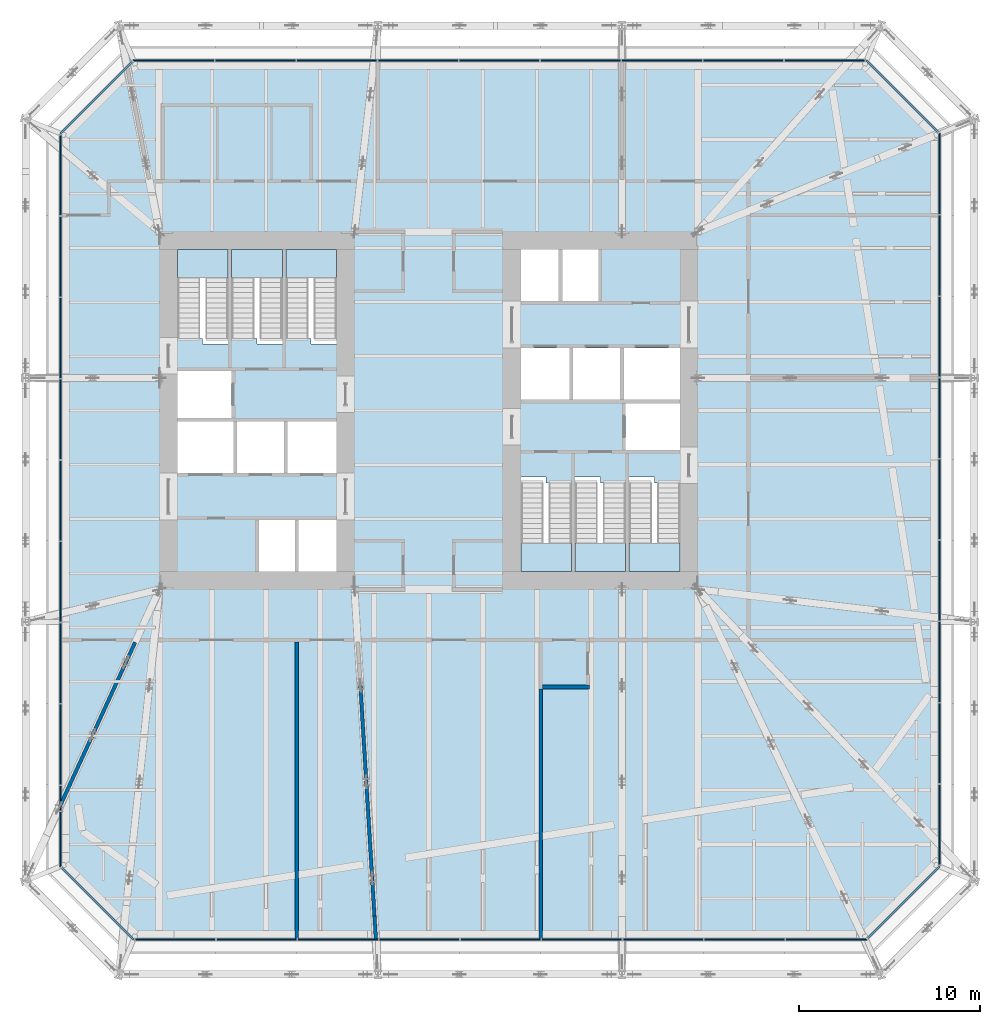
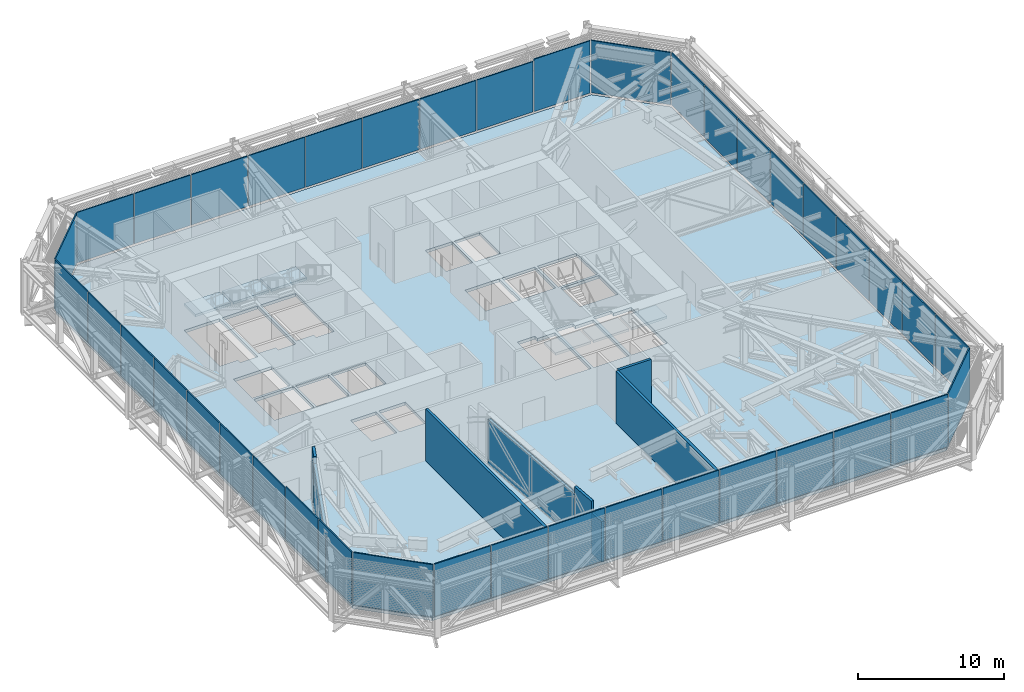
# One storey, part 20 of 31: 40 plates, 8 walls, 7 slabs, 14 elements without a shape of their own.
"""IFC4 building model written with IfcOpenShell, lengths in metres."""

from ifc_helpers import new_model, si_unit, direction, frame, frame_2d, origin, place, context, subcontext, project, spatial, polyline, rectangle, outline, extrude, material, layer, layer_set, type_object, element, aggregate, save


model = new_model("IFC4")

# Units and contexts
model_context = context("Model", 3, precision=1e-05, world=origin(), true_north=direction((0.0, 1.0)))
body_context = subcontext(model_context, "Body", "Model", "MODEL_VIEW")
ifc_project = project(units=[si_unit("LENGTHUNIT", "METRE"), si_unit("AREAUNIT", "SQUARE_METRE"), si_unit("VOLUMEUNIT", "CUBIC_METRE"), si_unit("PLANEANGLEUNIT", "RADIAN"), si_unit("MASSUNIT", "GRAM", prefix="KILO")], contexts=[model_context])

# Site, building, storey
site_placement = place(None, origin())
site = spatial("IfcSite", under=ifc_project, at=site_placement, CompositionType="ELEMENT")
building_placement = place(site_placement, origin())
building = spatial("IfcBuilding", under=site, at=building_placement, Name="Millrace Tower", CompositionType="ELEMENT")
storey_placement = place(building_placement, frame((0.0, 0.0, 120.39990234375)))
storey = spatial("IfcBuildingStorey", under=building, at=storey_placement, Name="L26", CompositionType="ELEMENT", Elevation=120.39990234375)

# Curtain wall, plate
ifc_material_1 = material(Name="Aluminium and glass", Category="aluminium")
ifc_layer_1 = layer(ifc_material_1, 0.14990234375)
ifc_layer_set_1 = layer_set([ifc_layer_1], Name="Aluminium and glass")
curtain_wall_type = type_object("IfcCurtainWallType", Name="CW-5 truss and plant storey louvred infill", PredefinedType="NOTDEFINED", material=ifc_layer_set_1)
placement_1 = place(storey_placement, origin())
curtain_wall_1 = element("IfcCurtainWall", 1, at=placement_1, inside=storey, type_object=curtain_wall_type, Name="Curtain wall B-F01 L26", PredefinedType="NOTDEFINED")
ifc_material_2 = material(Name="Glass", Category="glass")
ifc_layer_2 = layer(ifc_material_2, 0.090087890625)
ifc_layer_set_2 = layer_set([ifc_layer_2], Name="Glass")
plate_type = type_object("IfcPlateType", Name="CW-5 truss and plant storey louvred infill louvre cassette", PredefinedType="CURTAIN_PANEL", material=ifc_layer_set_2)
placement_2 = place(storey_placement, frame((0.0, 0.0, 0.14013671875)))
plate_1 = element("IfcPlate", 2, at=placement_2, type_object=plate_type, Name="CW5 panel B-F01.1", PredefinedType="CURTAIN_PANEL", context=body_context, shape_type="SweptSolid", body=[
    extrude(outline(polyline([(-20.3388671875, -25.330810546875), (-16.349609375, -29.320068359375), (-16.3125, -29.22998046875), (-20.275146484375, -25.26708984375), (-20.3388671875, -25.330810546875)])), origin(), (0.0, 0.0, 1.0), 4.35986328125),
])
aggregate(curtain_wall_1, [plate_1])

# Curtain wall, plates
curtain_wall_2 = element("IfcCurtainWall", 3, at=placement_1, inside=storey, type_object=curtain_wall_type, Name="Curtain wall B-F02 L26", PredefinedType="NOTDEFINED")
plate_2 = element("IfcPlate", 4, at=placement_2, type_object=plate_type, Name="CW5 panel B-F02.1", PredefinedType="CURTAIN_PANEL", context=body_context, shape_type="SweptSolid", body=[
    extrude(outline(polyline([(-16.235107421875, -29.320068359375), (-11.800048828125, -29.320068359375), (-11.800048828125, -29.22998046875), (-16.235107421875, -29.22998046875), (-16.235107421875, -29.320068359375)])), origin(), (0.0, 0.0, 1.0), 4.35986328125),
])
plate_3 = element("IfcPlate", 5, at=placement_2, type_object=plate_type, Name="CW5 panel B-F02.2", PredefinedType="CURTAIN_PANEL", context=body_context, shape_type="SweptSolid", body=[
    extrude(outline(polyline([(-11.735107421875, -29.320068359375), (-7.300048828125, -29.320068359375), (-7.300048828125, -29.22998046875), (-11.735107421875, -29.22998046875), (-11.735107421875, -29.320068359375)])), origin(), (0.0, 0.0, 1.0), 4.35986328125),
])
plate_4 = element("IfcPlate", 6, at=placement_2, type_object=plate_type, Name="CW5 panel B-F02.3", PredefinedType="CURTAIN_PANEL", context=body_context, shape_type="SweptSolid", body=[
    extrude(outline(polyline([(-7.235107421875, -29.320068359375), (-2.800048828125, -29.320068359375), (-2.800048828125, -29.22998046875), (-7.235107421875, -29.22998046875), (-7.235107421875, -29.320068359375)])), origin(), (0.0, 0.0, 1.0), 4.35986328125),
])
plate_5 = element("IfcPlate", 7, at=placement_2, type_object=plate_type, Name="CW5 panel B-F02.4", PredefinedType="CURTAIN_PANEL", context=body_context, shape_type="SweptSolid", body=[
    extrude(outline(polyline([(-2.735107421875, -29.320068359375), (1.699951171875, -29.320068359375), (1.699951171875, -29.22998046875), (-2.735107421875, -29.22998046875), (-2.735107421875, -29.320068359375)])), origin(), (0.0, 0.0, 1.0), 4.35986328125),
])
plate_6 = element("IfcPlate", 8, at=placement_2, type_object=plate_type, Name="CW5 panel B-F02.5", PredefinedType="CURTAIN_PANEL", context=body_context, shape_type="SweptSolid", body=[
    extrude(outline(polyline([(1.764892578125, -29.320068359375), (6.199951171875, -29.320068359375), (6.199951171875, -29.22998046875), (1.764892578125, -29.22998046875), (1.764892578125, -29.320068359375)])), origin(), (0.0, 0.0, 1.0), 4.35986328125),
])
plate_7 = element("IfcPlate", 9, at=placement_2, type_object=plate_type, Name="CW5 panel B-F02.6", PredefinedType="CURTAIN_PANEL", context=body_context, shape_type="SweptSolid", body=[
    extrude(outline(polyline([(6.264892578125, -29.320068359375), (10.699951171875, -29.320068359375), (10.699951171875, -29.22998046875), (6.264892578125, -29.22998046875), (6.264892578125, -29.320068359375)])), origin(), (0.0, 0.0, 1.0), 4.35986328125),
])
plate_8 = element("IfcPlate", 10, at=placement_2, type_object=plate_type, Name="CW5 panel B-F02.7", PredefinedType="CURTAIN_PANEL", context=body_context, shape_type="SweptSolid", body=[
    extrude(outline(polyline([(10.764892578125, -29.320068359375), (15.199951171875, -29.320068359375), (15.199951171875, -29.22998046875), (10.764892578125, -29.22998046875), (10.764892578125, -29.320068359375)])), origin(), (0.0, 0.0, 1.0), 4.35986328125),
])
plate_9 = element("IfcPlate", 11, at=placement_2, type_object=plate_type, Name="CW5 panel B-F02.8", PredefinedType="CURTAIN_PANEL", context=body_context, shape_type="SweptSolid", body=[
    extrude(outline(polyline([(15.264892578125, -29.320068359375), (19.699951171875, -29.320068359375), (19.699951171875, -29.22998046875), (15.264892578125, -29.22998046875), (15.264892578125, -29.320068359375)])), origin(), (0.0, 0.0, 1.0), 4.35986328125),
])
plate_10 = element("IfcPlate", 12, at=placement_2, type_object=plate_type, Name="CW5 panel B-F02.9", PredefinedType="CURTAIN_PANEL", context=body_context, shape_type="SweptSolid", body=[
    extrude(outline(polyline([(19.764892578125, -29.320068359375), (24.249755859375, -29.320068359375), (24.21240234375, -29.22998046875), (19.764892578125, -29.22998046875), (19.764892578125, -29.320068359375)])), origin(), (0.0, 0.0, 1.0), 4.35986328125),
])
aggregate(curtain_wall_2, [plate_2, plate_3, plate_4, plate_5, plate_6, plate_7, plate_8, plate_9, plate_10])

# Curtain wall, plate
curtain_wall_3 = element("IfcCurtainWall", 13, at=placement_1, inside=storey, type_object=curtain_wall_type, Name="Curtain wall B-F03 L26", PredefinedType="NOTDEFINED")
plate_11 = element("IfcPlate", 14, at=placement_2, type_object=plate_type, Name="CW5 panel B-F03.1", PredefinedType="CURTAIN_PANEL", context=body_context, shape_type="SweptSolid", body=[
    extrude(outline(polyline([(24.330810546875, -29.23876953125), (28.320068359375, -25.249755859375), (28.22998046875, -25.21240234375), (24.26708984375, -29.17529296875), (24.330810546875, -29.23876953125)])), origin(), (0.0, 0.0, 1.0), 4.35986328125),
])
aggregate(curtain_wall_3, [plate_11])

# Curtain wall, plates
curtain_wall_4 = element("IfcCurtainWall", 15, at=placement_1, inside=storey, type_object=curtain_wall_type, Name="Curtain wall B-F04 L26", PredefinedType="NOTDEFINED")
plate_12 = element("IfcPlate", 16, at=placement_2, type_object=plate_type, Name="CW5 panel B-F04.1", PredefinedType="CURTAIN_PANEL", context=body_context, shape_type="SweptSolid", body=[
    extrude(outline(polyline([(28.320068359375, -25.135009765625), (28.320068359375, -20.699951171875), (28.22998046875, -20.699951171875), (28.22998046875, -25.135009765625), (28.320068359375, -25.135009765625)])), origin(), (0.0, 0.0, 1.0), 4.35986328125),
])
plate_13 = element("IfcPlate", 17, at=placement_2, type_object=plate_type, Name="CW5 panel B-F04.2", PredefinedType="CURTAIN_PANEL", context=body_context, shape_type="SweptSolid", body=[
    extrude(outline(polyline([(28.320068359375, -20.635009765625), (28.320068359375, -16.199951171875), (28.22998046875, -16.199951171875), (28.22998046875, -20.635009765625), (28.320068359375, -20.635009765625)])), origin(), (0.0, 0.0, 1.0), 4.35986328125),
])
plate_14 = element("IfcPlate", 18, at=placement_2, type_object=plate_type, Name="CW5 panel B-F04.3", PredefinedType="CURTAIN_PANEL", context=body_context, shape_type="SweptSolid", body=[
    extrude(outline(polyline([(28.320068359375, -16.135009765625), (28.320068359375, -11.699951171875), (28.22998046875, -11.699951171875), (28.22998046875, -16.135009765625), (28.320068359375, -16.135009765625)])), origin(), (0.0, 0.0, 1.0), 4.35986328125),
])
plate_15 = element("IfcPlate", 19, at=placement_2, type_object=plate_type, Name="CW5 panel B-F04.4", PredefinedType="CURTAIN_PANEL", context=body_context, shape_type="SweptSolid", body=[
    extrude(outline(polyline([(28.320068359375, -11.635009765625), (28.320068359375, -7.199951171875), (28.22998046875, -7.199951171875), (28.22998046875, -11.635009765625), (28.320068359375, -11.635009765625)])), origin(), (0.0, 0.0, 1.0), 4.35986328125),
])
plate_16 = element("IfcPlate", 20, at=placement_2, type_object=plate_type, Name="CW5 panel B-F04.5", PredefinedType="CURTAIN_PANEL", context=body_context, shape_type="SweptSolid", body=[
    extrude(outline(polyline([(28.320068359375, -7.135009765625), (28.320068359375, -2.699951171875), (28.22998046875, -2.699951171875), (28.22998046875, -7.135009765625), (28.320068359375, -7.135009765625)])), origin(), (0.0, 0.0, 1.0), 4.35986328125),
])
plate_17 = element("IfcPlate", 21, at=placement_2, type_object=plate_type, Name="CW5 panel B-F04.6", PredefinedType="CURTAIN_PANEL", context=body_context, shape_type="SweptSolid", body=[
    extrude(outline(polyline([(28.320068359375, -2.635009765625), (28.320068359375, 1.800048828125), (28.22998046875, 1.800048828125), (28.22998046875, -2.635009765625), (28.320068359375, -2.635009765625)])), origin(), (0.0, 0.0, 1.0), 4.35986328125),
])
plate_18 = element("IfcPlate", 22, at=placement_2, type_object=plate_type, Name="CW5 panel B-F04.7", PredefinedType="CURTAIN_PANEL", context=body_context, shape_type="SweptSolid", body=[
    extrude(outline(polyline([(28.320068359375, 1.864990234375), (28.320068359375, 6.300048828125), (28.22998046875, 6.300048828125), (28.22998046875, 1.864990234375), (28.320068359375, 1.864990234375)])), origin(), (0.0, 0.0, 1.0), 4.35986328125),
])
plate_19 = element("IfcPlate", 23, at=placement_2, type_object=plate_type, Name="CW5 panel B-F04.8", PredefinedType="CURTAIN_PANEL", context=body_context, shape_type="SweptSolid", body=[
    extrude(outline(polyline([(28.320068359375, 6.364990234375), (28.320068359375, 10.800048828125), (28.22998046875, 10.800048828125), (28.22998046875, 6.364990234375), (28.320068359375, 6.364990234375)])), origin(), (0.0, 0.0, 1.0), 4.35986328125),
])
plate_20 = element("IfcPlate", 24, at=placement_2, type_object=plate_type, Name="CW5 panel B-F04.9", PredefinedType="CURTAIN_PANEL", context=body_context, shape_type="SweptSolid", body=[
    extrude(outline(polyline([(28.320068359375, 10.864990234375), (28.320068359375, 15.349609375), (28.22998046875, 15.3125), (28.22998046875, 10.864990234375), (28.320068359375, 10.864990234375)])), origin(), (0.0, 0.0, 1.0), 4.35986328125),
])
aggregate(curtain_wall_4, [plate_12, plate_13, plate_14, plate_15, plate_16, plate_17, plate_18, plate_19, plate_20])

# Curtain wall, plate
curtain_wall_5 = element("IfcCurtainWall", 25, at=placement_1, inside=storey, type_object=curtain_wall_type, Name="Curtain wall B-F05 L26", PredefinedType="NOTDEFINED")
plate_21 = element("IfcPlate", 26, at=placement_2, type_object=plate_type, Name="CW5 panel B-F05.1", PredefinedType="CURTAIN_PANEL", context=body_context, shape_type="SweptSolid", body=[
    extrude(outline(polyline([(28.23876953125, 15.430908203125), (24.249755859375, 19.419921875), (24.21240234375, 19.330078125), (28.17529296875, 15.3671875), (28.23876953125, 15.430908203125)])), origin(), (0.0, 0.0, 1.0), 4.35986328125),
])
aggregate(curtain_wall_5, [plate_21])

# Curtain wall, plates
curtain_wall_6 = element("IfcCurtainWall", 27, at=placement_1, inside=storey, type_object=curtain_wall_type, Name="Curtain wall B-F06 L26", PredefinedType="NOTDEFINED")
plate_22 = element("IfcPlate", 28, at=placement_2, type_object=plate_type, Name="CW5 panel B-F06.1", PredefinedType="CURTAIN_PANEL", context=body_context, shape_type="SweptSolid", body=[
    extrude(outline(polyline([(24.135009765625, 19.419921875), (19.699951171875, 19.419921875), (19.699951171875, 19.330078125), (24.135009765625, 19.330078125), (24.135009765625, 19.419921875)])), origin(), (0.0, 0.0, 1.0), 4.35986328125),
])
plate_23 = element("IfcPlate", 29, at=placement_2, type_object=plate_type, Name="CW5 panel B-F06.2", PredefinedType="CURTAIN_PANEL", context=body_context, shape_type="SweptSolid", body=[
    extrude(outline(polyline([(19.635009765625, 19.419921875), (15.199951171875, 19.419921875), (15.199951171875, 19.330078125), (19.635009765625, 19.330078125), (19.635009765625, 19.419921875)])), origin(), (0.0, 0.0, 1.0), 4.199951171875),
])
plate_24 = element("IfcPlate", 30, at=placement_2, type_object=plate_type, Name="CW5 panel B-F06.3", PredefinedType="CURTAIN_PANEL", context=body_context, shape_type="SweptSolid", body=[
    extrude(outline(polyline([(15.135009765625, 19.419921875), (10.699951171875, 19.419921875), (10.699951171875, 19.330078125), (15.135009765625, 19.330078125), (15.135009765625, 19.419921875)])), origin(), (0.0, 0.0, 1.0), 4.199951171875),
])
plate_25 = element("IfcPlate", 31, at=placement_2, type_object=plate_type, Name="CW5 panel B-F06.4", PredefinedType="CURTAIN_PANEL", context=body_context, shape_type="SweptSolid", body=[
    extrude(outline(polyline([(10.635009765625, 19.419921875), (6.199951171875, 19.419921875), (6.199951171875, 19.330078125), (10.635009765625, 19.330078125), (10.635009765625, 19.419921875)])), origin(), (0.0, 0.0, 1.0), 4.199951171875),
])
plate_26 = element("IfcPlate", 32, at=placement_2, type_object=plate_type, Name="CW5 panel B-F06.5", PredefinedType="CURTAIN_PANEL", context=body_context, shape_type="SweptSolid", body=[
    extrude(outline(polyline([(6.135009765625, 19.419921875), (1.699951171875, 19.419921875), (1.699951171875, 19.330078125), (6.135009765625, 19.330078125), (6.135009765625, 19.419921875)])), origin(), (0.0, 0.0, 1.0), 4.199951171875),
])
plate_27 = element("IfcPlate", 33, at=placement_2, type_object=plate_type, Name="CW5 panel B-F06.6", PredefinedType="CURTAIN_PANEL", context=body_context, shape_type="SweptSolid", body=[
    extrude(outline(polyline([(1.635009765625, 19.419921875), (-2.800048828125, 19.419921875), (-2.800048828125, 19.330078125), (1.635009765625, 19.330078125), (1.635009765625, 19.419921875)])), origin(), (0.0, 0.0, 1.0), 4.199951171875),
])
plate_28 = element("IfcPlate", 34, at=placement_2, type_object=plate_type, Name="CW5 panel B-F06.7", PredefinedType="CURTAIN_PANEL", context=body_context, shape_type="SweptSolid", body=[
    extrude(outline(polyline([(-2.864990234375, 19.419921875), (-7.300048828125, 19.419921875), (-7.300048828125, 19.330078125), (-2.864990234375, 19.330078125), (-2.864990234375, 19.419921875)])), origin(), (0.0, 0.0, 1.0), 4.199951171875),
])
plate_29 = element("IfcPlate", 35, at=placement_2, type_object=plate_type, Name="CW5 panel B-F06.8", PredefinedType="CURTAIN_PANEL", context=body_context, shape_type="SweptSolid", body=[
    extrude(outline(polyline([(-7.364990234375, 19.419921875), (-11.800048828125, 19.419921875), (-11.800048828125, 19.330078125), (-7.364990234375, 19.330078125), (-7.364990234375, 19.419921875)])), origin(), (0.0, 0.0, 1.0), 4.199951171875),
])
plate_30 = element("IfcPlate", 36, at=placement_2, type_object=plate_type, Name="CW5 panel B-F06.9", PredefinedType="CURTAIN_PANEL", context=body_context, shape_type="SweptSolid", body=[
    extrude(outline(polyline([(-11.864990234375, 19.419921875), (-16.349609375, 19.419921875), (-16.3125, 19.330078125), (-11.864990234375, 19.330078125), (-11.864990234375, 19.419921875)])), origin(), (0.0, 0.0, 1.0), 4.199951171875),
])
aggregate(curtain_wall_6, [plate_22, plate_23, plate_24, plate_25, plate_26, plate_27, plate_28, plate_29, plate_30])

# Curtain wall, plate
curtain_wall_7 = element("IfcCurtainWall", 37, at=placement_1, inside=storey, type_object=curtain_wall_type, Name="Curtain wall B-F07 L26", PredefinedType="NOTDEFINED")
plate_31 = element("IfcPlate", 38, at=placement_2, type_object=plate_type, Name="CW5 panel B-F07.1", PredefinedType="CURTAIN_PANEL", context=body_context, shape_type="SweptSolid", body=[
    extrude(outline(polyline([(-16.430908203125, 19.3388671875), (-20.419921875, 15.349609375), (-20.330078125, 15.3125), (-16.3671875, 19.275146484375), (-16.430908203125, 19.3388671875)])), origin(), (0.0, 0.0, 1.0), 4.199951171875),
])
aggregate(curtain_wall_7, [plate_31])

# Curtain wall, plates
curtain_wall_8 = element("IfcCurtainWall", 39, at=placement_1, inside=storey, type_object=curtain_wall_type, Name="Curtain wall B-F08 L26", PredefinedType="NOTDEFINED")
plate_32 = element("IfcPlate", 40, at=placement_2, type_object=plate_type, Name="CW5 panel B-F08.1", PredefinedType="CURTAIN_PANEL", context=body_context, shape_type="SweptSolid", body=[
    extrude(outline(polyline([(-20.419921875, 15.235107421875), (-20.419921875, 10.800048828125), (-20.330078125, 10.800048828125), (-20.330078125, 15.235107421875), (-20.419921875, 15.235107421875)])), origin(), (0.0, 0.0, 1.0), 4.199951171875),
])
plate_33 = element("IfcPlate", 41, at=placement_2, type_object=plate_type, Name="CW5 panel B-F08.2", PredefinedType="CURTAIN_PANEL", context=body_context, shape_type="SweptSolid", body=[
    extrude(outline(polyline([(-20.419921875, 10.735107421875), (-20.419921875, 6.300048828125), (-20.330078125, 6.300048828125), (-20.330078125, 10.735107421875), (-20.419921875, 10.735107421875)])), origin(), (0.0, 0.0, 1.0), 4.199951171875),
])
plate_34 = element("IfcPlate", 42, at=placement_2, type_object=plate_type, Name="CW5 panel B-F08.3", PredefinedType="CURTAIN_PANEL", context=body_context, shape_type="SweptSolid", body=[
    extrude(outline(polyline([(-20.419921875, 6.235107421875), (-20.419921875, 1.800048828125), (-20.330078125, 1.800048828125), (-20.330078125, 6.235107421875), (-20.419921875, 6.235107421875)])), origin(), (0.0, 0.0, 1.0), 4.199951171875),
])
plate_35 = element("IfcPlate", 43, at=placement_2, type_object=plate_type, Name="CW5 panel B-F08.4", PredefinedType="CURTAIN_PANEL", context=body_context, shape_type="SweptSolid", body=[
    extrude(outline(polyline([(-20.419921875, 1.735107421875), (-20.419921875, -2.699951171875), (-20.330078125, -2.699951171875), (-20.330078125, 1.735107421875), (-20.419921875, 1.735107421875)])), origin(), (0.0, 0.0, 1.0), 4.199951171875),
])
plate_36 = element("IfcPlate", 44, at=placement_2, type_object=plate_type, Name="CW5 panel B-F08.5", PredefinedType="CURTAIN_PANEL", context=body_context, shape_type="SweptSolid", body=[
    extrude(outline(polyline([(-20.419921875, -2.764892578125), (-20.419921875, -7.199951171875), (-20.330078125, -7.199951171875), (-20.330078125, -2.764892578125), (-20.419921875, -2.764892578125)])), origin(), (0.0, 0.0, 1.0), 4.199951171875),
])
plate_37 = element("IfcPlate", 45, at=placement_2, type_object=plate_type, Name="CW5 panel B-F08.6", PredefinedType="CURTAIN_PANEL", context=body_context, shape_type="SweptSolid", body=[
    extrude(outline(polyline([(-20.419921875, -7.264892578125), (-20.419921875, -11.699951171875), (-20.330078125, -11.699951171875), (-20.330078125, -7.264892578125), (-20.419921875, -7.264892578125)])), origin(), (0.0, 0.0, 1.0), 4.199951171875),
])
plate_38 = element("IfcPlate", 46, at=placement_2, type_object=plate_type, Name="CW5 panel B-F08.7", PredefinedType="CURTAIN_PANEL", context=body_context, shape_type="SweptSolid", body=[
    extrude(outline(polyline([(-20.419921875, -11.764892578125), (-20.419921875, -16.199951171875), (-20.330078125, -16.199951171875), (-20.330078125, -11.764892578125), (-20.419921875, -11.764892578125)])), origin(), (0.0, 0.0, 1.0), 4.199951171875),
])
plate_39 = element("IfcPlate", 47, at=placement_2, type_object=plate_type, Name="CW5 panel B-F08.8", PredefinedType="CURTAIN_PANEL", context=body_context, shape_type="SweptSolid", body=[
    extrude(outline(polyline([(-20.419921875, -16.264892578125), (-20.419921875, -20.699951171875), (-20.330078125, -20.699951171875), (-20.330078125, -16.264892578125), (-20.419921875, -16.264892578125)])), origin(), (0.0, 0.0, 1.0), 4.35986328125),
])
plate_40 = element("IfcPlate", 48, at=placement_2, type_object=plate_type, Name="CW5 panel B-F08.9", PredefinedType="CURTAIN_PANEL", context=body_context, shape_type="SweptSolid", body=[
    extrude(outline(polyline([(-20.419921875, -20.764892578125), (-20.419921875, -25.249755859375), (-20.330078125, -25.21240234375), (-20.330078125, -20.764892578125), (-20.419921875, -20.764892578125)])), origin(), (0.0, 0.0, 1.0), 4.35986328125),
])
aggregate(curtain_wall_8, [plate_32, plate_33, plate_34, plate_35, plate_36, plate_37, plate_38, plate_39, plate_40])

# Slab
ifc_material_3 = material(Name="Concrete C35 on steel deck", Category="concrete")
ifc_layer_3 = layer(ifc_material_3, 0.25)
ifc_layer_set_3 = layer_set([ifc_layer_3], Name="Concrete C35 on steel deck")
slab_type_1 = type_object("IfcSlabType", Name="Composite floor slab 250 mm", PredefinedType="FLOOR", material=ifc_layer_set_3)
slab_1_placement = place(storey_placement, frame((0.0, 0.0, -0.25)))
element("IfcSlab", 49, at=slab_1_placement, inside=storey, type_object=slab_type_1, Name="SL-B-L26-S1", PredefinedType="FLOOR", context=body_context, shape_type="SweptSolid", body=[
    extrude(outline(polyline([(-20.300048828125, -25.199951171875), (-16.300048828125, -29.199951171875), (24.199951171875, -29.199951171875), (28.199951171875, -25.199951171875), (28.199951171875, 15.300048828125), (24.199951171875, 19.300048828125), (-16.300048828125, 19.300048828125), (-20.300048828125, 15.300048828125), (-20.300048828125, -25.199951171875)]), holes=[polyline([(-9.39990234375, -8.89990234375), (-7.39990234375, -8.89990234375), (-7.39990234375, -6.050048828125), (-9.39990234375, -6.050048828125), (-9.39990234375, -8.89990234375)]), polyline([(-7.199951171875, -8.89990234375), (-5.10009765625, -8.89990234375), (-5.10009765625, -6.050048828125), (-7.199951171875, -6.050048828125), (-7.199951171875, -8.89990234375)]), polyline([(-13.89990234375, -3.449951171875), (-10.800048828125, -3.449951171875), (-10.800048828125, -0.60009765625), (-13.89990234375, -0.60009765625), (-13.89990234375, -3.449951171875)]), polyline([(-10.60009765625, -3.449951171875), (-8.0, -3.449951171875), (-8.0, -0.60009765625), (-10.60009765625, -0.60009765625), (-10.60009765625, -3.449951171875)]), polyline([(-7.800048828125, -3.449951171875), (-5.10009765625, -3.449951171875), (-5.10009765625, -0.60009765625), (-7.800048828125, -0.60009765625), (-7.800048828125, -3.449951171875)]), polyline([(-13.89990234375, -0.39990234375), (-10.89990234375, -0.39990234375), (-10.89990234375, 2.179931640625), (-13.89990234375, 2.179931640625), (-13.89990234375, -0.39990234375)]), polyline([(-11.10009765625, 8.89990234375), (-12.5, 8.89990234375), (-13.89990234375, 8.89990234375), (-13.89990234375, 4.0), (-12.5, 4.0), (-12.5, 3.679931640625), (-11.10009765625, 3.679931640625), (-11.10009765625, 8.89990234375)]), polyline([(-8.10009765625, 8.89990234375), (-9.5, 8.89990234375), (-10.89990234375, 8.89990234375), (-10.89990234375, 4.0), (-9.5, 4.0), (-9.5, 3.679931640625), (-8.10009765625, 3.679931640625), (-8.10009765625, 8.89990234375)]), polyline([(-5.10009765625, 8.89990234375), (-6.5, 8.89990234375), (-7.89990234375, 8.89990234375), (-7.89990234375, 4.0), (-6.5, 4.0), (-6.5, 3.679931640625), (-5.10009765625, 3.679931640625), (-5.10009765625, 8.89990234375)]), polyline([(7.39990234375, 6.050048828125), (9.39990234375, 6.050048828125), (9.39990234375, 8.89990234375), (7.39990234375, 8.89990234375), (7.39990234375, 6.050048828125)]), polyline([(5.10009765625, 6.050048828125), (7.199951171875, 6.050048828125), (7.199951171875, 8.89990234375), (5.10009765625, 8.89990234375), (5.10009765625, 6.050048828125)]), polyline([(10.800048828125, 0.60009765625), (13.89990234375, 0.60009765625), (13.89990234375, 3.449951171875), (10.800048828125, 3.449951171875), (10.800048828125, 0.60009765625)]), polyline([(8.0, 0.60009765625), (10.60009765625, 0.60009765625), (10.60009765625, 3.449951171875), (8.0, 3.449951171875), (8.0, 0.60009765625)]), polyline([(5.10009765625, 0.60009765625), (7.800048828125, 0.60009765625), (7.800048828125, 3.449951171875), (5.10009765625, 3.449951171875), (5.10009765625, 0.60009765625)]), polyline([(10.89990234375, -2.179931640625), (13.89990234375, -2.179931640625), (13.89990234375, 0.39990234375), (10.89990234375, 0.39990234375), (10.89990234375, -2.179931640625)]), polyline([(13.89990234375, -4.0), (12.5, -4.0), (12.5, -3.679931640625), (11.10009765625, -3.679931640625), (11.10009765625, -8.89990234375), (12.5, -8.89990234375), (13.89990234375, -8.89990234375), (13.89990234375, -4.0)]), polyline([(10.89990234375, -4.0), (9.5, -4.0), (9.5, -3.679931640625), (8.10009765625, -3.679931640625), (8.10009765625, -8.89990234375), (9.5, -8.89990234375), (10.89990234375, -8.89990234375), (10.89990234375, -4.0)]), polyline([(7.89990234375, -4.0), (6.5, -4.0), (6.5, -3.679931640625), (5.10009765625, -3.679931640625), (5.10009765625, -8.89990234375), (6.5, -8.89990234375), (7.89990234375, -8.89990234375), (7.89990234375, -4.0)])]), origin(), (0.0, 0.0, 1.0), 0.25),
])

# Stair, slab
ifc_material_4 = material(Name="Concrete C35", Category="concrete")
stair_type = type_object("IfcStairType", Name="Exit stair", PredefinedType="HALF_TURN_STAIR", material=ifc_material_4)
stair_1 = element("IfcStair", 50, at=placement_1, inside=storey, type_object=stair_type, Name="Stair 1 W L26", PredefinedType="HALF_TURN_STAIR")
ifc_material_5 = material(Name="Concrete C40", Category="concrete")
ifc_layer_4 = layer(ifc_material_5, 0.199951171875)
ifc_layer_set_4 = layer_set([ifc_layer_4], Name="Concrete C40")
slab_type_2 = type_object("IfcSlabType", Name="Stair landing", PredefinedType="LANDING", material=ifc_layer_set_4)
placement_3 = place(storey_placement, frame((0.0, 0.0, 2.050048828125)))
slab_2 = element("IfcSlab", 51, at=placement_3, type_object=slab_type_2, Name="ST12 landing 1", PredefinedType="LANDING", context=body_context, shape_type="SweptSolid", body=[
    extrude(outline(polyline([(-13.89990234375, 7.360107421875), (-11.10009765625, 7.360107421875), (-11.10009765625, 8.89990234375), (-13.89990234375, 8.89990234375), (-13.89990234375, 7.360107421875)])), origin(), (0.0, 0.0, 1.0), 0.199951171875),
])
aggregate(stair_1, [slab_2])

stair_2 = element("IfcStair", 52, at=placement_1, inside=storey, type_object=stair_type, Name="Stair 2 W L26", PredefinedType="HALF_TURN_STAIR")
slab_3 = element("IfcSlab", 53, at=placement_3, type_object=slab_type_2, Name="ST12 landing 1", PredefinedType="LANDING", context=body_context, shape_type="SweptSolid", body=[
    extrude(outline(polyline([(-10.89990234375, 7.360107421875), (-8.10009765625, 7.360107421875), (-8.10009765625, 8.89990234375), (-10.89990234375, 8.89990234375), (-10.89990234375, 7.360107421875)])), origin(), (0.0, 0.0, 1.0), 0.199951171875),
])
aggregate(stair_2, [slab_3])

stair_3 = element("IfcStair", 54, at=placement_1, inside=storey, type_object=stair_type, Name="Stair 3 W L26", PredefinedType="HALF_TURN_STAIR")
slab_4 = element("IfcSlab", 55, at=placement_3, type_object=slab_type_2, Name="ST12 landing 1", PredefinedType="LANDING", context=body_context, shape_type="SweptSolid", body=[
    extrude(outline(polyline([(-7.89990234375, 7.360107421875), (-5.10009765625, 7.360107421875), (-5.10009765625, 8.89990234375), (-7.89990234375, 8.89990234375), (-7.89990234375, 7.360107421875)])), origin(), (0.0, 0.0, 1.0), 0.199951171875),
])
aggregate(stair_3, [slab_4])

stair_4 = element("IfcStair", 56, at=placement_1, inside=storey, type_object=stair_type, Name="Stair 1 E L26", PredefinedType="HALF_TURN_STAIR")
slab_5 = element("IfcSlab", 57, at=placement_3, type_object=slab_type_2, Name="ST12 landing 1", PredefinedType="LANDING", context=body_context, shape_type="SweptSolid", body=[
    extrude(outline(polyline([(11.10009765625, -8.89990234375), (13.89990234375, -8.89990234375), (13.89990234375, -7.360107421875), (11.10009765625, -7.360107421875), (11.10009765625, -8.89990234375)])), origin(), (0.0, 0.0, 1.0), 0.199951171875),
])
aggregate(stair_4, [slab_5])

stair_5 = element("IfcStair", 58, at=placement_1, inside=storey, type_object=stair_type, Name="Stair 2 E L26", PredefinedType="HALF_TURN_STAIR")
slab_6 = element("IfcSlab", 59, at=placement_3, type_object=slab_type_2, Name="ST12 landing 1", PredefinedType="LANDING", context=body_context, shape_type="SweptSolid", body=[
    extrude(outline(polyline([(8.10009765625, -8.89990234375), (10.89990234375, -8.89990234375), (10.89990234375, -7.360107421875), (8.10009765625, -7.360107421875), (8.10009765625, -8.89990234375)])), origin(), (0.0, 0.0, 1.0), 0.199951171875),
])
aggregate(stair_5, [slab_6])

stair_6 = element("IfcStair", 60, at=placement_1, inside=storey, type_object=stair_type, Name="Stair 3 E L26", PredefinedType="HALF_TURN_STAIR")
slab_7 = element("IfcSlab", 61, at=placement_3, type_object=slab_type_2, Name="ST12 landing 1", PredefinedType="LANDING", context=body_context, shape_type="SweptSolid", body=[
    extrude(outline(polyline([(5.10009765625, -8.89990234375), (7.89990234375, -8.89990234375), (7.89990234375, -7.360107421875), (5.10009765625, -7.360107421875), (5.10009765625, -8.89990234375)])), origin(), (0.0, 0.0, 1.0), 0.199951171875),
])
aggregate(stair_6, [slab_7])

# Walls
ifc_material_6 = material(Name="Masonry partition, fire-rated", Category="masonry")
ifc_layer_5 = layer(ifc_material_6, 0.199951171875)
ifc_layer_set_5 = layer_set([ifc_layer_5], Name="Masonry partition, fire-rated")
wall_type_1 = type_object("IfcWallType", Name="Corridor wall 200", PredefinedType="PARTITIONING", material=ifc_layer_set_5)
wall_1_placement = place(storey_placement, frame((-3.77490234375, -15.22509765625, 0.0), z_axis=(0.0, 0.0, 1.0), x_axis=(0.060910944262, -0.99814320459, 0.0)))
element("IfcWall", 62, at=wall_1_placement, inside=storey, type_object=wall_type_1, Name="Corridor wall L26", PredefinedType="PARTITIONING", context=body_context, shape_type="SweptSolid", body=[
    extrude(rectangle(XDim=10.669677734375, YDim=0.199951171875, at=frame_2d((5.3349609375, 0.0))), origin(), (0.0, 0.0, 1.0), 3.7421875),
])
wall_2_placement = place(storey_placement, frame((-3.125, -25.875, 0.0), z_axis=(0.0, 0.0, 1.0), x_axis=(0.060887982921, -0.998144605524, 0.0)))
element("IfcWall", 63, at=wall_2_placement, inside=storey, type_object=wall_type_1, Name="Corridor wall L26", PredefinedType="PARTITIONING", context=body_context, shape_type="SweptSolid", body=[
    extrude(rectangle(XDim=2.10107421875, YDim=0.199951171875, at=frame_2d((1.050537109375, 0.0))), origin(), (0.0, 0.0, 1.0), 4.340087890625),
])
wall_3_placement = place(storey_placement, frame((-2.9970703125, -27.97216796875, 0.0), z_axis=(0.0, 0.0, 1.0), x_axis=(0.061027342743, -0.998136094647, 0.0)))
element("IfcWall", 64, at=wall_3_placement, inside=storey, type_object=wall_type_1, Name="Corridor wall L26", PredefinedType="PARTITIONING", context=body_context, shape_type="SweptSolid", body=[
    extrude(rectangle(XDim=1.26025390625, YDim=0.199951171875, at=frame_2d((0.630126953125, 0.0))), origin(), (0.0, 0.0, 1.0), 3.382568359375),
])
wall_4_placement = place(storey_placement, frame((-20.413330078125, -21.91650390625, 0.0), z_axis=(0.0, 0.0, 1.0), x_axis=(0.417014494674, 0.908899835643, 0.0)))
element("IfcWall", 65, at=wall_4_placement, inside=storey, type_object=wall_type_1, Name="Corridor wall L26", PredefinedType="PARTITIONING", context=body_context, shape_type="SweptSolid", body=[
    extrude(rectangle(XDim=8.78466796875, YDim=0.199951171875, at=frame_2d((4.392333984375, 0.0))), origin(), (0.0, 0.0, 1.0), 3.7421875),
])
wall_5_placement = place(storey_placement, frame((-16.75, -13.93212890625, 0.0), z_axis=(0.0, 0.0, 1.0), x_axis=(0.416931172881, 0.90893806009, 0.0)))
element("IfcWall", 66, at=wall_5_placement, inside=storey, type_object=wall_type_1, Name="Corridor wall L26", PredefinedType="PARTITIONING", context=body_context, shape_type="SweptSolid", body=[
    extrude(rectangle(XDim=1.21630859375, YDim=0.199951171875, at=frame_2d((0.608154296875, 0.0))), origin(), (0.0, 0.0, 1.0), 4.340087890625),
])
wall_6_placement = place(storey_placement, frame((-7.300048828125, -29.22998046875, 0.0), z_axis=(0.0, 0.0, 1.0), x_axis=(0.0, 1.0, 0.0)))
element("IfcWall", 67, at=wall_6_placement, inside=storey, type_object=wall_type_1, Name="Corridor wall L26", PredefinedType="PARTITIONING", context=body_context, shape_type="SweptSolid", body=[
    extrude(rectangle(XDim=16.429931640625, YDim=0.199951171875, at=frame_2d((8.21484375, 0.0))), origin(), (0.0, 0.0, 1.0), 4.340087890625),
])
ifc_material_7 = material(Name="Masonry partition, fire-rated", Category="masonry")
ifc_layer_6 = layer(ifc_material_7, 0.199951171875)
ifc_layer_set_6 = layer_set([ifc_layer_6], Name="Masonry partition, fire-rated")
wall_type_2 = type_object("IfcWallType", Name="Refuge area wall 200", PredefinedType="PARTITIONING", material=ifc_layer_set_6)
wall_7_placement = place(storey_placement, frame((6.300048828125, -15.300048828125, 0.0), z_axis=(0.0, 0.0, 1.0), x_axis=(1.0, 0.0, 0.0)))
element("IfcWall", 68, at=wall_7_placement, inside=storey, type_object=wall_type_2, Name="Refuge area wall L26", PredefinedType="PARTITIONING", context=body_context, shape_type="SweptSolid", body=[
    extrude(rectangle(XDim=2.599853515625, YDim=0.199951171875, at=frame_2d((1.2998046875, 0.0))), origin(), (0.0, 0.0, 1.0), 4.340087890625),
])
wall_8_placement = place(storey_placement, frame((6.199951171875, -29.22998046875, 0.0), z_axis=(0.0, 0.0, 1.0), x_axis=(0.0, 1.0, 0.0)))
element("IfcWall", 69, at=wall_8_placement, inside=storey, type_object=wall_type_2, Name="Refuge area wall L26", PredefinedType="PARTITIONING", context=body_context, shape_type="SweptSolid", body=[
    extrude(rectangle(XDim=13.830078125, YDim=0.199951171875, at=frame_2d((6.9150390625, 0.0))), origin(), (0.0, 0.0, 1.0), 4.340087890625),
])

save(model, "model.ifc")
